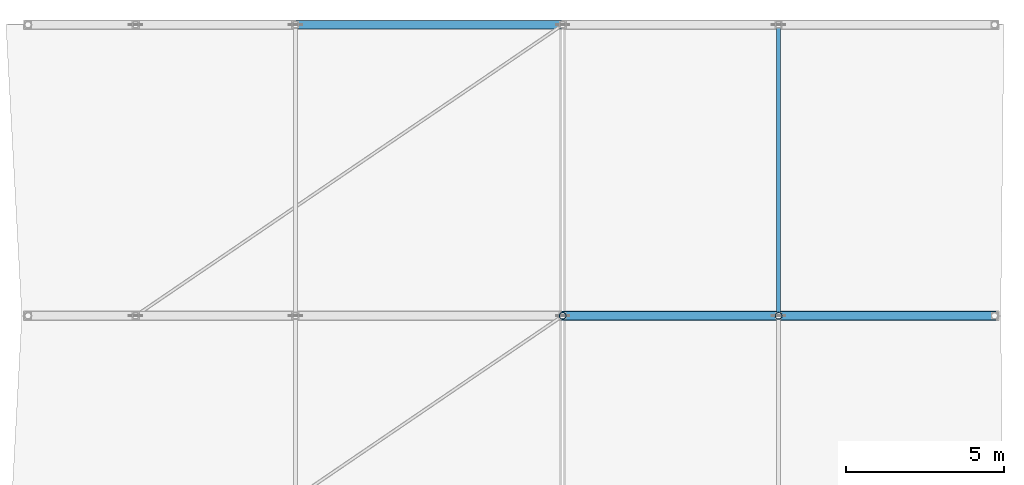
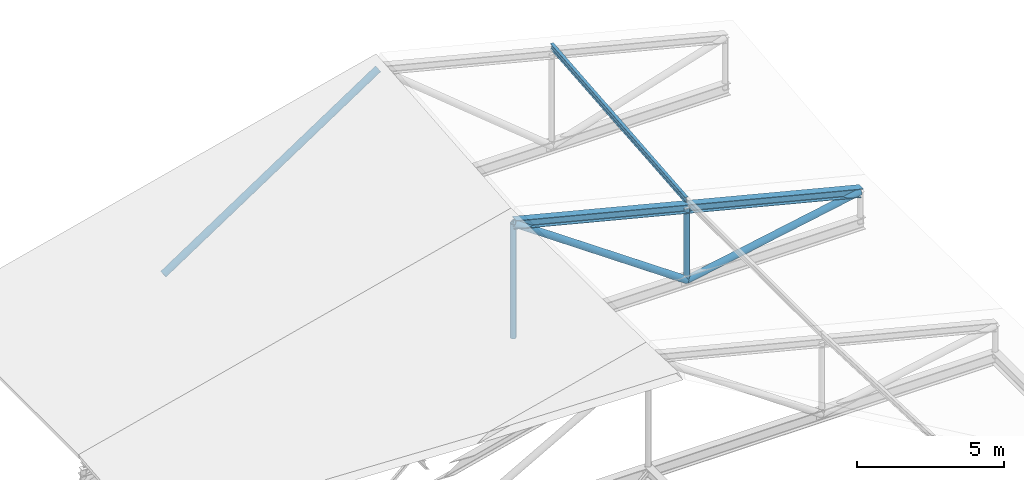
# One storey, part 35 of 56: 7 members.
"""IFC4 building model written with IfcOpenShell, lengths in metres."""

from ifc_helpers import new_model, si_unit, direction, frame, origin, origin_2d, place, context, subcontext, project, spatial, hollow_circle, i_section, extrude, material, material_profile, profile_set, type_object, element, save


model = new_model("IFC4")

# Units and contexts
model_context = context("Model", 3, precision=1e-05, world=origin(), true_north=direction((0.0, 1.0)))
body_context = subcontext(model_context, "Body", "Model", "MODEL_VIEW")
ifc_project = project(units=[si_unit("LENGTHUNIT", "METRE"), si_unit("AREAUNIT", "SQUARE_METRE"), si_unit("VOLUMEUNIT", "CUBIC_METRE"), si_unit("PLANEANGLEUNIT", "RADIAN"), si_unit("MASSUNIT", "GRAM", prefix="KILO")], contexts=[model_context])

# Site, building, storey
site_placement = place(None, origin())
site = spatial("IfcSite", under=ifc_project, at=site_placement, CompositionType="ELEMENT")
building_placement = place(site_placement, origin())
building = spatial("IfcBuilding", under=site, at=building_placement, Name="Bozkorgan Art Gallery", CompositionType="ELEMENT")
storey_placement = place(building_placement, frame((0.0, 0.0, 24.0)))
storey = spatial("IfcBuildingStorey", under=building, at=storey_placement, Name="L05", CompositionType="ELEMENT", Elevation=24.0)

# Members
ifc_material = material(Name="Steel S355J2", Category="steel")
ifc_material_profile_1 = material_profile(ifc_material, i_section(OverallWidth=0.1201171875, OverallDepth=0.239990234375, WebThickness=0.006103515625, FlangeThickness=0.009765625, FilletRadius=0.014892578125, at=origin_2d()), Name="IPE 240")
ifc_profile_set_1 = profile_set([ifc_material_profile_1], Name="Steel S355J2")
member_type_1 = type_object("IfcMemberType", Name="MEMBER-PR-34", PredefinedType="PURLIN", material=ifc_profile_set_1)
member_1_placement = place(storey_placement, frame((157.324951171875, 84.39990234375, 3.571044921875), z_axis=(0.0, 0.99591181494, 0.090330819007), x_axis=(-1.0, 0.0, 0.0)))
element("IfcMember", 1, at=member_1_placement, inside=storey, type_object=member_type_1, Name="ROOF-V5-MAIN roof purlin 4E", PredefinedType="PURLIN", context=body_context, shape_type="SweptSolid", body=[
    extrude(i_section(OverallWidth=0.1201171875, OverallDepth=0.239990234375, WebThickness=0.006103515625, FlangeThickness=0.009765625, FilletRadius=0.014892578125, at=origin_2d()), origin(), (0.0, 0.0, 1.0), 9.238037109375),
])
ifc_material_profile_2 = material_profile(ifc_material, i_section(OverallWidth=0.300048828125, OverallDepth=0.35009765625, WebThickness=0.010009765625, FlangeThickness=0.017578125, FilletRadius=0.027099609375, at=origin_2d()), Name="HEA 360")
ifc_profile_set_2 = profile_set([ifc_material_profile_2], Name="Steel S355J2")
member_type_2 = type_object("IfcMemberType", Name="MEMBER-TC-31", PredefinedType="CHORD", material=ifc_profile_set_2)
member_2_placement = place(storey_placement, frame((150.5, 84.39990234375, 5.003173828125), z_axis=(0.969442896165, 0.0, -0.245317082721), x_axis=(0.0, 1.0, 0.0)))
element("IfcMember", 2, at=member_2_placement, inside=storey, type_object=member_type_2, Name="ROOF-V5-MAIN roof truss 4 east top chord", PredefinedType="CHORD", context=body_context, shape_type="SweptSolid", body=[
    extrude(i_section(OverallWidth=0.300048828125, OverallDepth=0.35009765625, WebThickness=0.010009765625, FlangeThickness=0.017578125, FilletRadius=0.027099609375, at=origin_2d()), origin(), (0.0, 0.0, 1.0), 14.080078125),
])
ifc_material_profile_3 = material_profile(ifc_material, hollow_circle(Radius=0.109619140625, WallThickness=0.010009765625, at=origin_2d()), Name="CHS 219.1x10")
ifc_profile_set_3 = profile_set([ifc_material_profile_3], Name="Steel S355J2")
member_type_3 = type_object("IfcMemberType", Name="MEMBER-TP-78", PredefinedType="POST", material=ifc_profile_set_3)
member_3_placement = place(storey_placement, frame((150.5, 84.39990234375, 0.25), z_axis=(0.0, 0.0, 1.0), x_axis=(1.0, 0.0, 0.0)))
element("IfcMember", 3, at=member_3_placement, inside=storey, type_object=member_type_3, Name="ROOF-V5-MAIN roof truss 4 post 3", PredefinedType="POST", context=body_context, shape_type="SweptSolid", body=[
    extrude(hollow_circle(Radius=0.109619140625, WallThickness=0.010009765625, at=origin_2d()), origin(), (0.0, 0.0, 1.0), 4.753173828125),
])
member_4_placement = place(storey_placement, frame((157.324951171875, 84.39990234375, 0.25), z_axis=(0.0, 0.0, 1.0), x_axis=(1.0, 0.0, 0.0)))
element("IfcMember", 4, at=member_4_placement, inside=storey, type_object=member_type_3, Name="ROOF-V5-MAIN roof truss 4 post 4", PredefinedType="POST", context=body_context, shape_type="SweptSolid", body=[
    extrude(hollow_circle(Radius=0.109619140625, WallThickness=0.010009765625, at=origin_2d()), origin(), (0.0, 0.0, 1.0), 3.026123046875),
])
ifc_material_profile_4 = material_profile(ifc_material, hollow_circle(Radius=0.136474609375, WallThickness=0.012451171875, at=origin_2d()), Name="CHS 273x12.5")
ifc_profile_set_4 = profile_set([ifc_material_profile_4], Name="Steel S355J2")
member_type_4 = type_object("IfcMemberType", Name="MEMBER-TW-28", PredefinedType="BRACE", material=ifc_profile_set_4)
member_5_placement = place(storey_placement, frame((150.5, 84.39990234375, 5.003173828125), z_axis=(0.820601744896, 0.0, -0.571500460432), x_axis=(0.0, 1.0, 0.0)))
element("IfcMember", 5, at=member_5_placement, inside=storey, type_object=member_type_4, Name="ROOF-V5-MAIN roof truss 4 diagonal 4", PredefinedType="BRACE", context=body_context, shape_type="SweptSolid", body=[
    extrude(hollow_circle(Radius=0.136474609375, WallThickness=0.012451171875, at=origin_2d()), origin(), (0.0, 0.0, 1.0), 8.31689453125),
])
member_6_placement = place(storey_placement, frame((157.324951171875, 84.39990234375, 0.25), z_axis=(0.982362856855, 0.0, 0.186984538055), x_axis=(0.0, 1.0, 0.0)))
element("IfcMember", 6, at=member_6_placement, inside=storey, type_object=member_type_4, Name="ROOF-V5-MAIN roof truss 4 diagonal 5", PredefinedType="BRACE", context=body_context, shape_type="SweptSolid", body=[
    extrude(hollow_circle(Radius=0.136474609375, WallThickness=0.012451171875, at=origin_2d()), origin(), (0.0, 0.0, 1.0), 6.947509765625),
])
member_7_placement = place(storey_placement, frame((142.050048828125, 93.60009765625, 0.25), z_axis=(0.834135546355, 0.0, 0.551559507494), x_axis=(0.0, 1.0, 0.0)))
element("IfcMember", 7, at=member_7_placement, inside=storey, type_object=member_type_4, Name="ROOF-V5-MAIN roof truss 5 diagonal 3", PredefinedType="BRACE", context=body_context, shape_type="SweptSolid", body=[
    extrude(hollow_circle(Radius=0.136474609375, WallThickness=0.012451171875, at=origin_2d()), origin(), (0.0, 0.0, 1.0), 10.130126953125),
])

save(model, "model.ifc")
